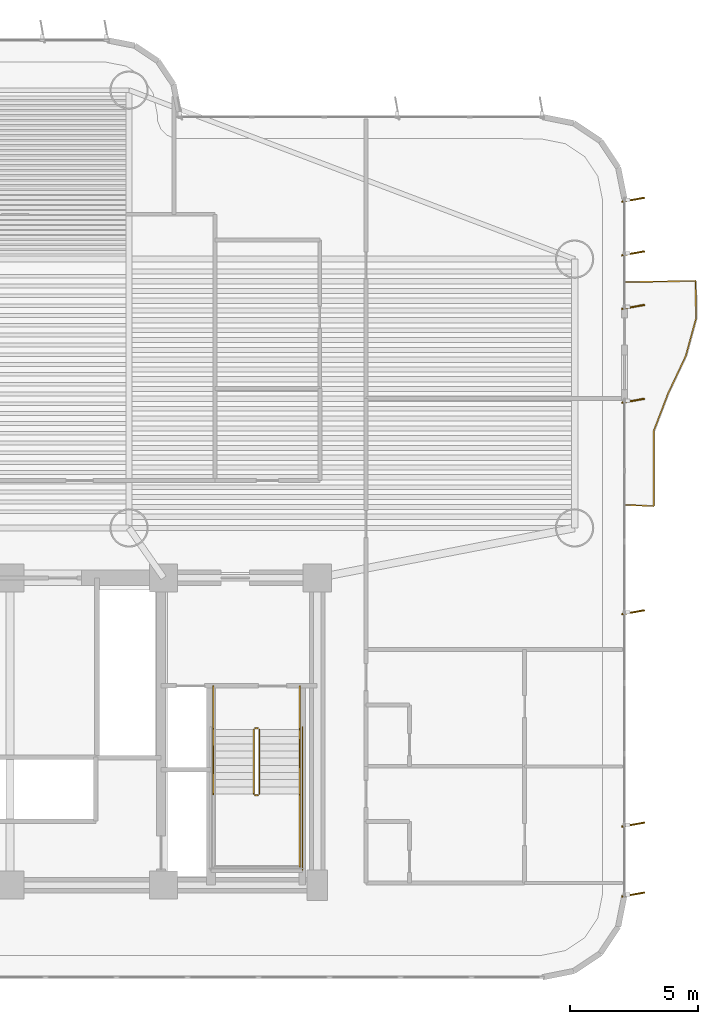
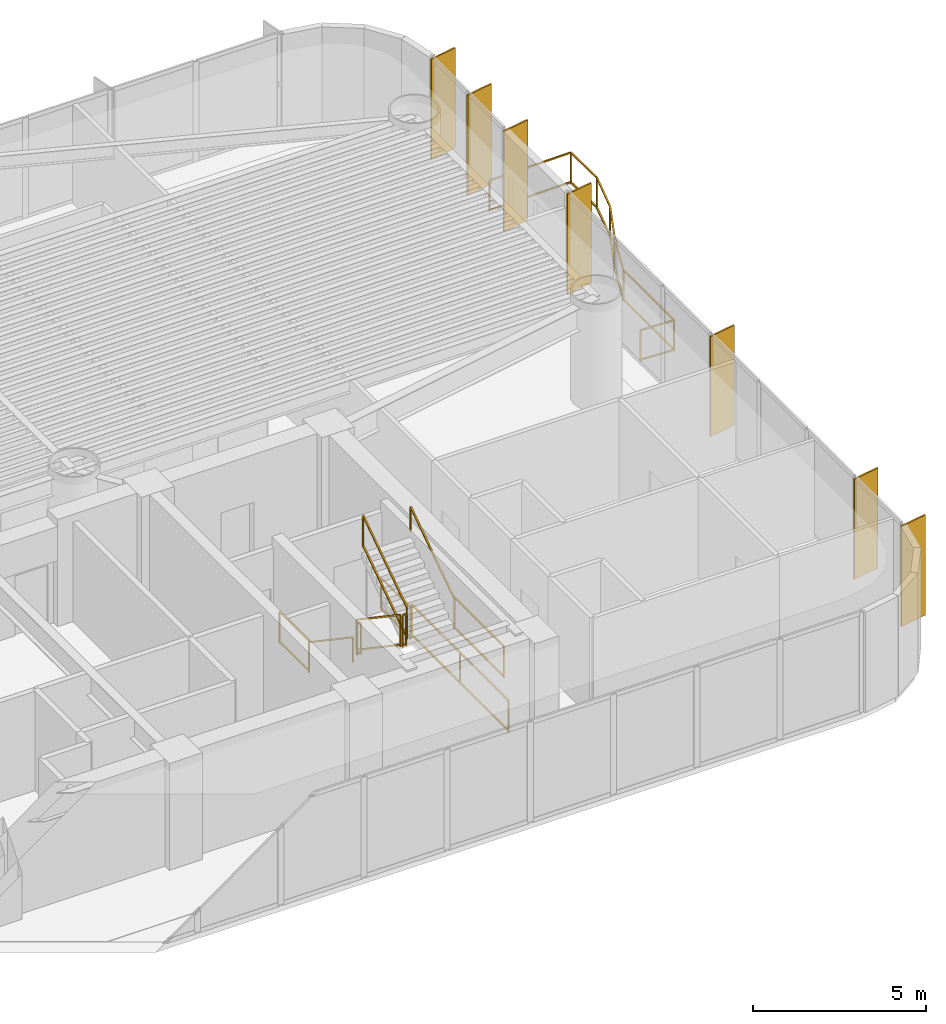
# One storey, part 16 of 17: 11 railings, 7 shading devices.
"""IFC4 building model written with IfcOpenShell, lengths in metres."""

from ifc_helpers import new_model, si_unit, direction, frame, origin, origin_2d, place, context, subcontext, project, spatial, rectangle, extrude, source, transform, mapped, material, layer, layer_set, material_profile, profile_set, type_object, element, save


model = new_model("IFC4")

# Units and contexts
model_context = context("Model", 3, precision=1e-05, world=origin(), true_north=direction((0.0, 1.0)))
body_context = subcontext(model_context, "Body", "Model", "MODEL_VIEW")
ifc_project = project(units=[si_unit("LENGTHUNIT", "METRE"), si_unit("AREAUNIT", "SQUARE_METRE"), si_unit("VOLUMEUNIT", "CUBIC_METRE"), si_unit("PLANEANGLEUNIT", "RADIAN"), si_unit("MASSUNIT", "GRAM", prefix="KILO")], contexts=[model_context])

# Site, building, storey
site_placement = place(None, origin())
site = spatial("IfcSite", under=ifc_project, at=site_placement, CompositionType="ELEMENT")
building_placement = place(site_placement, origin())
building = spatial("IfcBuilding", under=site, at=building_placement, Name="Brelvock Crest Care Tower", CompositionType="ELEMENT")
storey_placement = place(building_placement, frame((0.0, 0.0, 53.4599609375)))
storey = spatial("IfcBuildingStorey", under=building, at=storey_placement, Name="L13", CompositionType="ELEMENT", Elevation=53.4599609375)

# Railings
ifc_material_1 = material(Name="Dark Glass Double Glazed Low-E", Category="glass")
ifc_layer_1 = layer(ifc_material_1, 0.06005859375, Name="RL-BAL1")
ifc_layer_set_1 = layer_set([ifc_layer_1], Name="Dark Glass Double Glazed Low-E")
railing_type_1 = type_object("IfcRailingType", Name="RL-BAL1", PredefinedType="BALUSTRADE", material=ifc_layer_set_1)
railing_1_placement = place(storey_placement, frame((60.0400390625, 20.85009765625, 0.004150390625)))
element("IfcRailing", 1, at=railing_1_placement, inside=storey, type_object=railing_type_1, Name="L13 Safety Balustrade WB-E", PredefinedType="BALUSTRADE", context=body_context, shape_type="SweptSolid", body=[
    extrude(rectangle(XDim=0.048095703125, YDim=0.048095703125, at=origin_2d()), frame((0.001953125, 0.0, 1.09619140625), z_axis=(0.998966252902, -0.045457953795, 0.0), x_axis=(0.045457953795, 0.998966252902, 0.0)), (0.0, 0.0, 1.0), 1.096923828125),
    extrude(rectangle(XDim=0.048095703125, YDim=0.048095703125, at=origin_2d()), frame((0.001953125, 0.0, 0.054931640625), z_axis=(0.998966252902, -0.045457953795, 0.0), x_axis=(0.045457953795, 0.998966252902, 0.0)), (0.0, 0.0, 1.0), 1.096923828125),
    extrude(rectangle(XDim=0.048095703125, YDim=0.048095703125, at=origin_2d()), frame((1.099853515625, -0.048095703125, 1.09619140625), z_axis=(0.0, 1.0, 0.0), x_axis=(-1.0, 0.0, 0.0)), (0.0, 0.0, 1.0), 2.929443359375),
    extrude(rectangle(XDim=0.048095703125, YDim=0.048095703125, at=origin_2d()), frame((1.099853515625, -0.048095703125, 0.054931640625), z_axis=(0.0, 1.0, 0.0), x_axis=(-1.0, 0.0, 0.0)), (0.0, 0.0, 1.0), 2.929443359375),
    extrude(rectangle(XDim=0.048095703125, YDim=0.048095703125, at=origin_2d()), frame((1.1005859375, 2.88525390625, 1.09619140625), z_axis=(0.357436663677, 0.933937380909, 0.0), x_axis=(-0.933937380909, 0.357436663677, 0.0)), (0.0, 0.0, 1.0), 1.56640625),
    extrude(rectangle(XDim=0.048095703125, YDim=0.048095703125, at=origin_2d()), frame((1.1005859375, 2.88525390625, 0.054931640625), z_axis=(0.357436663677, 0.933937380909, 0.0), x_axis=(-0.933937380909, 0.357436663677, 0.0)), (0.0, 0.0, 1.0), 1.56640625),
    extrude(rectangle(XDim=0.048095703125, YDim=0.048095703125, at=origin_2d()), frame((1.661865234375, 4.3515625, 1.09619140625), z_axis=(0.426746449171, 0.904371310978, 0.0), x_axis=(-0.904371310978, 0.426746449171, 0.0)), (0.0, 0.0, 1.0), 1.617919921875),
    extrude(rectangle(XDim=0.048095703125, YDim=0.048095703125, at=origin_2d()), frame((1.661865234375, 4.3515625, 0.054931640625), z_axis=(0.426746449171, 0.904371310978, 0.0), x_axis=(-0.904371310978, 0.426746449171, 0.0)), (0.0, 0.0, 1.0), 1.617919921875),
    extrude(rectangle(XDim=0.048095703125, YDim=0.048095703125, at=origin_2d()), frame((2.353759765625, 5.818603515625, 1.09619140625), z_axis=(0.263525028953, 0.964652558756, 0.0), x_axis=(-0.964652558756, 0.263525028953, 0.0)), (0.0, 0.0, 1.0), 1.516357421875),
    extrude(rectangle(XDim=0.048095703125, YDim=0.048095703125, at=origin_2d()), frame((2.353759765625, 5.818603515625, 0.054931640625), z_axis=(0.263525028953, 0.964652558756, 0.0), x_axis=(-0.964652558756, 0.263525028953, 0.0)), (0.0, 0.0, 1.0), 1.516357421875),
    extrude(rectangle(XDim=0.048095703125, YDim=0.048095703125, at=origin_2d()), frame((2.75390625, 7.28515625, 1.09619140625), z_axis=(-0.013647197663, 0.999906872662, 0.0), x_axis=(-0.999906872662, -0.013647197663, 0.0)), (0.0, 0.0, 1.0), 1.462890625),
    extrude(rectangle(XDim=0.048095703125, YDim=0.048095703125, at=origin_2d()), frame((2.75390625, 7.28515625, 0.054931640625), z_axis=(-0.013647197663, 0.999906872662, 0.0), x_axis=(-0.999906872662, -0.013647197663, 0.0)), (0.0, 0.0, 1.0), 1.462890625),
    extrude(rectangle(XDim=0.048095703125, YDim=0.048095703125, at=origin_2d()), frame((2.73193359375, 8.75, 1.09619140625), z_axis=(-0.999832471903, -0.018303773597, 0.0), x_axis=(0.018303773597, -0.999832471903, 0.0)), (0.0, 0.0, 1.0), 2.730224609375),
    extrude(rectangle(XDim=0.048095703125, YDim=0.048095703125, at=origin_2d()), frame((2.73193359375, 8.75, 0.054931640625), z_axis=(-0.999832471903, -0.018303773597, 0.0), x_axis=(0.018303773597, -0.999832471903, 0.0)), (0.0, 0.0, 1.0), 2.730224609375),
    extrude(rectangle(XDim=0.0419921875, YDim=0.0419921875, at=origin_2d()), origin(), (0.0, 0.0, 1.0), 1.070068359375),
    extrude(rectangle(XDim=0.0419921875, YDim=0.0419921875, at=origin_2d()), frame((1.099853515625, -0.050048828125, 0.0)), (0.0, 0.0, 1.0), 1.070068359375),
    extrude(rectangle(XDim=0.0419921875, YDim=0.0419921875, at=origin_2d()), frame((1.099853515625, 2.88330078125, 0.0)), (0.0, 0.0, 1.0), 1.070068359375),
    extrude(rectangle(XDim=0.0419921875, YDim=0.0419921875, at=origin_2d()), frame((1.6611328125, 4.349853515625, 0.0)), (0.0, 0.0, 1.0), 1.070068359375),
    extrude(rectangle(XDim=0.0419921875, YDim=0.0419921875, at=origin_2d()), frame((2.353271484375, 5.816650390625, 0.0)), (0.0, 0.0, 1.0), 1.070068359375),
    extrude(rectangle(XDim=0.0419921875, YDim=0.0419921875, at=origin_2d()), frame((2.75390625, 7.283203125, 0.0)), (0.0, 0.0, 1.0), 1.070068359375),
    extrude(rectangle(XDim=0.0419921875, YDim=0.0419921875, at=origin_2d()), frame((2.73388671875, 8.75, 0.0)), (0.0, 0.0, 1.0), 1.070068359375),
    extrude(rectangle(XDim=0.0419921875, YDim=0.0419921875, at=origin_2d()), frame((0.0, 8.699951171875, 0.0)), (0.0, 0.0, 1.0), 1.070068359375),
])
ifc_material_2 = material(Name="Steel Grade 350", Category="steel")
ifc_layer_2 = layer(ifc_material_2, 0.050048828125, Name="RL-STG1")
ifc_layer_set_2 = layer_set([ifc_layer_2], Name="Steel Grade 350")
railing_type_2 = type_object("IfcRailingType", Name="RL-STG1", PredefinedType="GUARDRAIL", material=ifc_layer_set_2)
railing_2_placement = place(storey_placement, frame((45.52001953125, 12.080078125, 0.18896484375)))
element("IfcRailing", 2, at=railing_2_placement, inside=storey, type_object=railing_type_2, Name="L13 ST-2 stair guard 1", PredefinedType="GUARDRAIL", context=body_context, shape_type="SweptSolid", body=[
    extrude(rectangle(XDim=0.048095703125, YDim=0.048095703125, at=origin_2d()), frame((0.0, -0.001708984375, 1.116943359375), z_axis=(0.0, -0.82882447046, 0.559508710537), x_axis=(1.0, 0.0, 0.0)), (0.0, 0.0, 1.0), 3.036376953125),
    extrude(rectangle(XDim=0.048095703125, YDim=0.048095703125, at=origin_2d()), frame((0.0, -0.001708984375, 0.05615234375), z_axis=(0.0, -0.82882447046, 0.559508710537), x_axis=(1.0, 0.0, 0.0)), (0.0, 0.0, 1.0), 3.036376953125),
    extrude(rectangle(XDim=0.0419921875, YDim=0.0419921875, at=origin_2d()), origin(), (0.0, 0.0, 1.0), 1.08984375),
    extrude(rectangle(XDim=0.0419921875, YDim=0.0419921875, at=origin_2d()), frame((0.0, -2.52001953125, 1.701171875)), (0.0, 0.0, 1.0), 1.08984375),
])
railing_3_placement = place(storey_placement, frame((45.570068359375, 9.510009765625, 1.89013671875)))
element("IfcRailing", 3, at=railing_3_placement, inside=storey, type_object=railing_type_2, Name="L13 ST-2 stair guard 2", PredefinedType="GUARDRAIL", context=body_context, shape_type="SweptSolid", body=[
    extrude(rectangle(XDim=0.048095703125, YDim=0.048095703125, at=origin_2d()), frame((0.001953125, 0.0, 1.11572265625), z_axis=(1.0, 0.0, 0.0), x_axis=(0.0, 1.0, 0.0)), (0.0, 0.0, 1.0), 0.115966796875),
    extrude(rectangle(XDim=0.048095703125, YDim=0.048095703125, at=origin_2d()), frame((0.001953125, 0.0, 0.054931640625), z_axis=(1.0, 0.0, 0.0), x_axis=(0.0, 1.0, 0.0)), (0.0, 0.0, 1.0), 0.115966796875),
    extrude(rectangle(XDim=0.0419921875, YDim=0.0419921875, at=origin_2d()), origin(), (0.0, 0.0, 1.0), 1.08984375),
    extrude(rectangle(XDim=0.0419921875, YDim=0.0419921875, at=origin_2d()), frame((0.119873046875, 0.0, 0.0)), (0.0, 0.0, 1.0), 1.08984375),
])
railing_4_placement = place(storey_placement, frame((47.320068359375, 9.56005859375, 1.89013671875)))
element("IfcRailing", 4, at=railing_4_placement, inside=storey, type_object=railing_type_2, Name="L13 ST-2 stair guard 4", PredefinedType="GUARDRAIL", context=body_context, shape_type="SweptSolid", body=[
    extrude(rectangle(XDim=0.048095703125, YDim=0.048095703125, at=origin_2d()), frame((0.0, -0.001953125, 1.11572265625), z_axis=(0.0, -1.0, 0.0), x_axis=(1.0, 0.0, 0.0)), (0.0, 0.0, 1.0), 2.856201171875),
    extrude(rectangle(XDim=0.048095703125, YDim=0.048095703125, at=origin_2d()), frame((0.0, -0.001953125, 0.054931640625), z_axis=(0.0, -1.0, 0.0), x_axis=(1.0, 0.0, 0.0)), (0.0, 0.0, 1.0), 2.856201171875),
    extrude(rectangle(XDim=0.0419921875, YDim=0.0419921875, at=origin_2d()), origin(), (0.0, 0.0, 1.0), 1.08984375),
    extrude(rectangle(XDim=0.0419921875, YDim=0.0419921875, at=origin_2d()), frame((0.0, -2.860107421875, 0.0)), (0.0, 0.0, 1.0), 1.08984375),
])
railing_5_placement = place(storey_placement, frame((45.739990234375, 9.56005859375, 2.0791015625)))
element("IfcRailing", 5, at=railing_5_placement, inside=storey, type_object=railing_type_2, Name="L13 ST-2 stair guard 6", PredefinedType="GUARDRAIL", context=body_context, shape_type="SweptSolid", body=[
    extrude(rectangle(XDim=0.048095703125, YDim=0.048095703125, at=origin_2d()), frame((0.0, 0.001708984375, 1.116943359375), z_axis=(0.0, 0.828861706735, 0.559453546873), x_axis=(-1.0, 0.0, 0.0)), (0.0, 0.0, 1.0), 3.036376953125),
    extrude(rectangle(XDim=0.048095703125, YDim=0.048095703125, at=origin_2d()), frame((0.0, 0.001708984375, 0.05615234375), z_axis=(0.0, 0.828861706735, 0.559453546873), x_axis=(-1.0, 0.0, 0.0)), (0.0, 0.0, 1.0), 3.036376953125),
    extrude(rectangle(XDim=0.0419921875, YDim=0.0419921875, at=origin_2d()), origin(), (0.0, 0.0, 1.0), 1.08984375),
    extrude(rectangle(XDim=0.0419921875, YDim=0.0419921875, at=origin_2d()), frame((0.0, 2.52001953125, 1.700927734375)), (0.0, 0.0, 1.0), 1.08984375),
])
railing_6_placement = place(storey_placement, frame((45.570068359375, 12.1298828125, 0.0)))
element("IfcRailing", 6, at=railing_6_placement, inside=storey, type_object=railing_type_2, Name="L13 ST-2 stair guard 7", PredefinedType="GUARDRAIL", context=body_context, shape_type="SweptSolid", body=[
    extrude(rectangle(XDim=0.048095703125, YDim=0.048095703125, at=origin_2d()), frame((0.001953125, 0.0, 1.11572265625), z_axis=(1.0, 0.0, 0.0), x_axis=(0.0, 1.0, 0.0)), (0.0, 0.0, 1.0), 0.115966796875),
    extrude(rectangle(XDim=0.048095703125, YDim=0.048095703125, at=origin_2d()), frame((0.001953125, 0.0, 0.054931640625), z_axis=(1.0, 0.0, 0.0), x_axis=(0.0, 1.0, 0.0)), (0.0, 0.0, 1.0), 0.115966796875),
    extrude(rectangle(XDim=0.0419921875, YDim=0.0419921875, at=origin_2d()), origin(), (0.0, 0.0, 1.0), 1.08984375),
    extrude(rectangle(XDim=0.0419921875, YDim=0.0419921875, at=origin_2d()), frame((0.119873046875, 0.0, 0.0)), (0.0, 0.0, 1.0), 1.08984375),
])
for number, where, name in (
    (7, (43.93994140625, 13.780029296875, 0.0), "L13 ST-2 stair guard 8"),
    (8, (47.320068359375, 13.780029296875, 0.0), "L13 ST-2 stair guard 9"),
):
    element("IfcRailing", number, at=place(storey_placement, frame(where)), inside=storey, type_object=railing_type_2, Name=name, PredefinedType="GUARDRAIL", context=body_context, shape_type="SweptSolid", body=[
        extrude(rectangle(XDim=0.048095703125, YDim=0.048095703125, at=origin_2d()), frame((0.0, -0.001953125, 1.11572265625), z_axis=(0.0, -1.0, 0.0), x_axis=(1.0, 0.0, 0.0)), (0.0, 0.0, 1.0), 1.696044921875),
        extrude(rectangle(XDim=0.048095703125, YDim=0.048095703125, at=origin_2d()), frame((0.0, -0.001953125, 0.054931640625), z_axis=(0.0, -1.0, 0.0), x_axis=(1.0, 0.0, 0.0)), (0.0, 0.0, 1.0), 1.696044921875),
        extrude(rectangle(XDim=0.0419921875, YDim=0.0419921875, at=origin_2d()), origin(), (0.0, 0.0, 1.0), 1.08984375),
        extrude(rectangle(XDim=0.0419921875, YDim=0.0419921875, at=origin_2d()), frame((0.0, -1.699951171875, 0.0)), (0.0, 0.0, 1.0), 1.08984375),
    ])
railing_7_placement = place(storey_placement, frame((47.419921875, 12.179931640625, 0.0)))
element("IfcRailing", 9, at=railing_7_placement, inside=storey, type_object=railing_type_2, Name="L13 ST-2 stair guard 11", PredefinedType="GUARDRAIL", context=body_context, shape_type="SweptSolid", body=[
    extrude(rectangle(XDim=0.048095703125, YDim=0.048095703125, at=origin_2d()), frame((0.0, -0.001953125, 1.11572265625), z_axis=(0.0, -1.0, 0.0), x_axis=(1.0, 0.0, 0.0)), (0.0, 0.0, 1.0), 5.575927734375),
    extrude(rectangle(XDim=0.048095703125, YDim=0.048095703125, at=origin_2d()), frame((0.0, -0.001953125, 0.054931640625), z_axis=(0.0, -1.0, 0.0), x_axis=(1.0, 0.0, 0.0)), (0.0, 0.0, 1.0), 5.575927734375),
    extrude(rectangle(XDim=0.0419921875, YDim=0.0419921875, at=origin_2d()), origin(), (0.0, 0.0, 1.0), 1.08984375),
    extrude(rectangle(XDim=0.0419921875, YDim=0.0419921875, at=origin_2d()), frame((0.0, -2.7900390625, 0.0)), (0.0, 0.0, 1.0), 1.08984375),
    extrude(rectangle(XDim=0.0419921875, YDim=0.0419921875, at=origin_2d()), frame((0.0, -5.579833984375, 0.0)), (0.0, 0.0, 1.0), 1.08984375),
])
ifc_layer_3 = layer(ifc_material_2, 0.048095703125, Name="RL-STH1")
ifc_layer_set_3 = layer_set([ifc_layer_3], Name="Steel Grade 350")
railing_type_3 = type_object("IfcRailingType", Name="RL-STH1", PredefinedType="HANDRAIL", material=ifc_layer_set_3)
railing_8_placement = place(storey_placement, frame((43.93994140625, 12.080078125, 0.18896484375)))
element("IfcRailing", 10, at=railing_8_placement, inside=storey, type_object=railing_type_3, Name="L13 ST-2 stair handrail 1", PredefinedType="HANDRAIL", context=body_context, shape_type="SweptSolid", body=[
    extrude(rectangle(XDim=0.048095703125, YDim=0.048095703125, at=origin_2d()), frame((0.0, -0.001708984375, 0.876953125), z_axis=(0.0, -0.82882447046, 0.559508710537), x_axis=(1.0, 0.0, 0.0)), (0.0, 0.0, 1.0), 3.036376953125),
    extrude(rectangle(XDim=0.0419921875, YDim=0.0419921875, at=origin_2d()), origin(), (0.0, 0.0, 1.0), 0.849853515625),
    extrude(rectangle(XDim=0.0419921875, YDim=0.0419921875, at=origin_2d()), frame((0.0, -2.52001953125, 1.701171875)), (0.0, 0.0, 1.0), 0.849853515625),
])
railing_9_placement = place(storey_placement, frame((47.320068359375, 9.56005859375, 2.0791015625)))
element("IfcRailing", 11, at=railing_9_placement, inside=storey, type_object=railing_type_3, Name="L13 ST-2 stair handrail 2", PredefinedType="HANDRAIL", context=body_context, shape_type="SweptSolid", body=[
    extrude(rectangle(XDim=0.048095703125, YDim=0.048095703125, at=origin_2d()), frame((0.0, 0.001708984375, 0.876953125), z_axis=(0.0, 0.828861706735, 0.559453546873), x_axis=(-1.0, 0.0, 0.0)), (0.0, 0.0, 1.0), 3.036376953125),
    extrude(rectangle(XDim=0.0419921875, YDim=0.0419921875, at=origin_2d()), origin(), (0.0, 0.0, 1.0), 0.849853515625),
    extrude(rectangle(XDim=0.0419921875, YDim=0.0419921875, at=origin_2d()), frame((0.0, 2.52001953125, 1.700927734375)), (0.0, 0.0, 1.0), 0.849853515625),
])

# Shading devices
ifc_material_3 = material(Name="Aluminium 6063-T6", Category="aluminium")
ifc_material_profile = material_profile(ifc_material_3, rectangle(XDim=0.054931640625, YDim=0.89990234375, at=origin_2d()), Name="FIN55x900")
ifc_profile_set = profile_set([ifc_material_profile], Name="Aluminium 6063-T6")
shading_device_type = type_object("IfcShadingDeviceType", Name="SHD-FIN1", PredefinedType="USERDEFINED", material=ifc_profile_set)
shared_shape = source(origin(), body_context, "Body", "SweptSolid", [
    extrude(rectangle(XDim=0.054931640625, YDim=0.89990234375, at=origin_2d()), origin(), (0.0, 0.0, 1.0), 3.530029296875),
])
for number, where, z_axis, x_axis, name in (
    (12, (60.340087890625, 32.767578125, 0.0), (0.0, 0.0, 1.0), (0.173648177667, -0.984807753012, 0.0), "L13 Vertical Sunshade Fin E03A-01"),
    (13, (60.340087890625, 30.675048828125, 0.0), (0.0, 0.0, 1.0), (0.173648177667, -0.984807753012, 0.0), "L13 Vertical Sunshade Fin E03A-02"),
    (14, (60.340087890625, 28.58251953125, 0.0), (0.0, 0.0, 1.0), (0.173648177667, -0.984807753012, 0.0), "L13 Vertical Sunshade Fin E03A-03"),
    (15, (60.340087890625, 24.91748046875, 0.0), (0.0, 0.0, 1.0), (0.173648177667, -0.984807753012, 0.0), "L13 Vertical Sunshade Fin E03B-01"),
    (16, (60.340087890625, 16.656982421875, 0.0), (0.0, 0.0, 1.0), (0.173648177667, -0.984807753012, 0.0), "L13 Vertical Sunshade Fin E03B-04"),
    (17, (60.340087890625, 8.3642578125, 0.0), (0.0, 0.0, 1.0), (0.173648177667, -0.984807753012, 0.0), "L13 Vertical Sunshade Fin E03B-07"),
    (18, (60.340087890625, 5.632568359375, 0.0), (0.0, 0.0, 1.0), (0.173648177667, -0.984807753012, 0.0), "L13 Vertical Sunshade Fin E03B-08"),
):
    element("IfcShadingDevice", number, at=place(storey_placement, frame(where, z_axis=z_axis, x_axis=x_axis)), inside=storey, type_object=shading_device_type, Name=name, ObjectType="FIN", PredefinedType="USERDEFINED", context=body_context, shape_type="MappedRepresentation", body=[
        mapped(shared_shape, transform((0.0, 0.0, 0.0), x_axis=(1.0, 0.0, 0.0), y_axis=(0.0, 1.0, 0.0), z_axis=(0.0, 0.0, 1.0), scale=1.0)),
    ])

save(model, "model.ifc")
